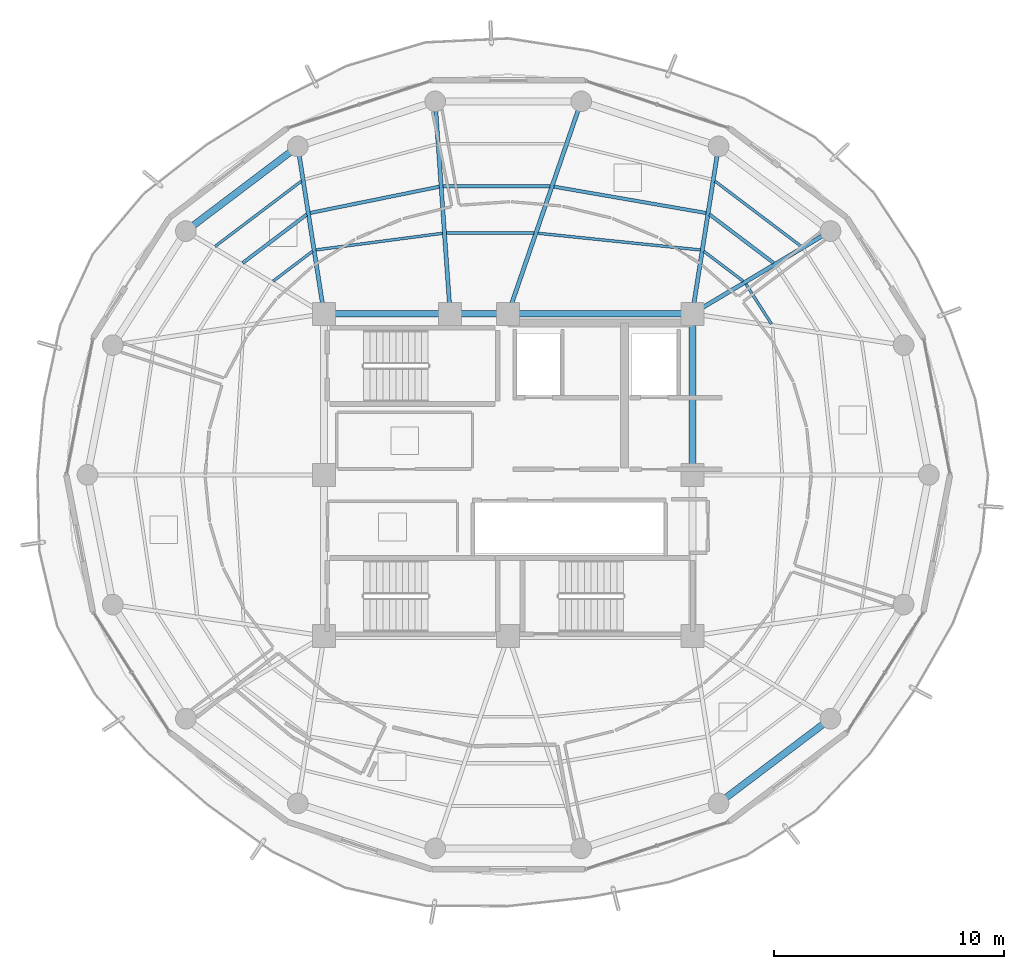
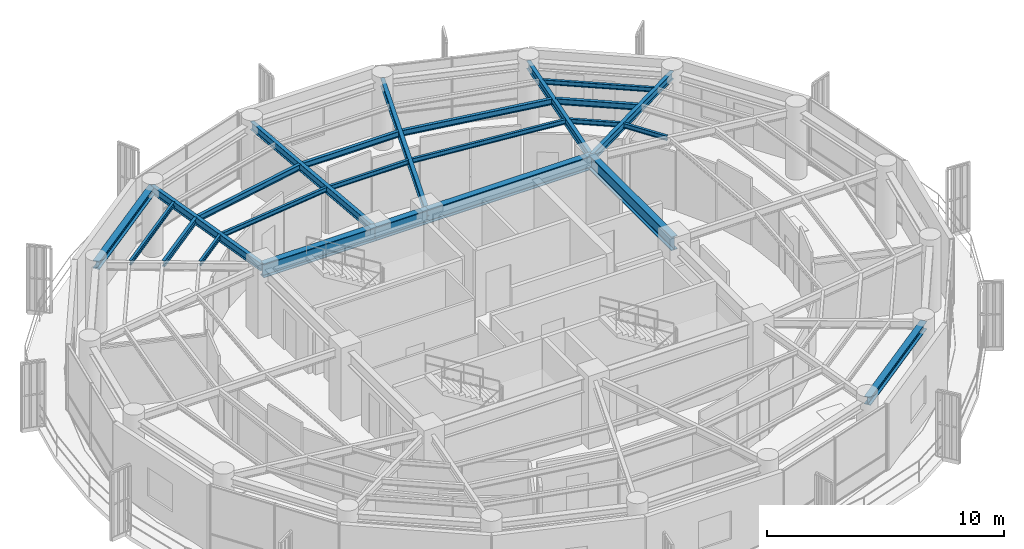
# One storey, part 9 of 23: 24 beams.
"""IFC4 building model written with IfcOpenShell, lengths in metres."""

import ifcopenshell
import ifcopenshell.guid

model = None  # the IFC model being written
_history = None  # IfcOwnerHistory: only IFC2X3 demands one
_inside = {}  # id of a spatial element -> (the spatial element, [elements in it])
_under = {}  # id of a project, library or spatial element -> (it, [spatial elements below it])
_declared = {}  # id of a project -> (the project, [libraries it declares])
_typed = {}  # id of a type object -> (the type object, [elements of that type])
_made_of = {}  # id of a material, layer set ... -> (it, [elements and type objects made of it])


def new_model(schema):
    """Start an empty IFC model of exactly this schema.

    Asked for "IFC4X3", IfcOpenShell would pick the latest addendum, in which some entities
    have other attributes; the version numbers below select the first issue.
    IFC2X3 requires an IfcOwnerHistory on every rooted entity: one is made here for all.
    """
    global model, _history
    if schema == "IFC4X3":
        model = ifcopenshell.file(schema_version=(4, 3, 0, 0))
    else:
        model = ifcopenshell.file(schema=schema)
    _inside.clear()
    _under.clear()
    _declared.clear()
    _typed.clear()
    _made_of.clear()
    _history = None
    if model.schema == "IFC2X3":
        org = make("IfcOrganization", Name="unknown")
        user = make(
            "IfcPersonAndOrganization",
            ThePerson=make("IfcPerson", FamilyName="unknown"),
            TheOrganization=org,
        )
        app = make(
            "IfcApplication",
            ApplicationDeveloper=org,
            Version="unknown",
            ApplicationFullName="unknown",
            ApplicationIdentifier="unknown",
        )
        _history = make(
            "IfcOwnerHistory",
            OwningUser=user,
            OwningApplication=app,
            ChangeAction="ADDED",
            CreationDate=0,
        )
    return model


def make(cls, **values):
    """One entity of the class cls with the attributes given. An attribute that is None is left unset."""
    return model.create_entity(
        cls, **{name: value for name, value in values.items() if value is not None}
    )


def rooted(cls, **values):
    """An entity with a GlobalId (a new one), such as an element, a storey or a relation."""
    return make(cls, GlobalId=ifcopenshell.guid.new(), OwnerHistory=_history, **values)


def si_unit(unit_type, name, prefix=None):
    """IfcSIUnit, for example si_unit("LENGTHUNIT", "METRE", prefix="MILLI")."""
    return make("IfcSIUnit", UnitType=unit_type, Prefix=prefix, Name=name)


def assignment(units):
    """IfcUnitAssignment: the units of a project."""
    return None if units is None else make("IfcUnitAssignment", Units=units)


def point(xyz):
    """IfcCartesianPoint."""
    return None if xyz is None else make("IfcCartesianPoint", Coordinates=xyz)


def direction(xyz):
    """IfcDirection."""
    return None if xyz is None else make("IfcDirection", DirectionRatios=xyz)


def frame(location, z_axis=None, x_axis=None):
    """IfcAxis2Placement3D, a coordinate frame: its origin and axes. An axis left out is left unset."""
    return make(
        "IfcAxis2Placement3D",
        Location=point(location),
        Axis=direction(z_axis),
        RefDirection=direction(x_axis),
    )


def frame_2d(location, x_axis=None):
    """IfcAxis2Placement2D, a coordinate frame in the plane: its origin and x axis."""
    return make(
        "IfcAxis2Placement2D", Location=point(location), RefDirection=direction(x_axis)
    )


def origin():
    """The frame at (0, 0, 0) with its axes left unset."""
    return frame((0.0, 0.0, 0.0))


def origin_2d():
    """The frame at (0, 0) in the plane with its x axis left unset."""
    return frame_2d((0.0, 0.0))


def place(relative_to, where):
    """IfcLocalPlacement: puts the frame where relative to a parent placement (None: the world)."""
    return make(
        "IfcLocalPlacement", PlacementRelTo=relative_to, RelativePlacement=where
    )


def context(
    kind, dimensions, precision=None, world=None, true_north=None, identifier=None
):
    """IfcGeometricRepresentationContext, for example the 3D "Model" context."""
    return make(
        "IfcGeometricRepresentationContext",
        ContextIdentifier=identifier,
        ContextType=kind,
        CoordinateSpaceDimension=dimensions,
        Precision=precision,
        WorldCoordinateSystem=world,
        TrueNorth=true_north,
    )


def subcontext(parent, identifier, kind, view, scale=None):
    """IfcGeometricRepresentationSubContext, for example "Body" below "Model"."""
    return make(
        "IfcGeometricRepresentationSubContext",
        ContextIdentifier=identifier,
        ContextType=kind,
        ParentContext=parent,
        TargetScale=scale,
        TargetView=view,
    )


def project(units=None, contexts=None):
    """IfcProject with its units and contexts."""
    return rooted(
        "IfcProject",
        Name="project",
        RepresentationContexts=contexts,
        UnitsInContext=assignment(units),
    )


def spatial(cls, under=None, at=None, **own):
    """A site, building, storey or space (cls), placed at a placement, below another one or the project."""
    s = rooted(cls, ObjectPlacement=at, **own)
    if under is not None:
        _under.setdefault(under.id(), (under, []))[1].append(s)
    return s


def profile(cls, at=None, kind="AREA", **sizes):
    """A parametric profile (cls). Its sizes go by their IFC names, for example OverallWidth=200.0."""
    return make(cls, ProfileType=kind, Position=at, **sizes)


def i_section(**sizes):
    """IfcIShapeProfileDef."""
    return profile("IfcIShapeProfileDef", **sizes)


def extrude(swept, where, along, depth):
    """IfcExtrudedAreaSolid: the profile swept, set in the frame where, extruded along a direction by depth."""
    return make(
        "IfcExtrudedAreaSolid",
        SweptArea=swept,
        Position=where,
        ExtrudedDirection=direction(along),
        Depth=depth,
    )


def shape(context_of_items, identifier, shape_type, items):
    """IfcShapeRepresentation: the items that make up one representation, for example the "Body"."""
    return make(
        "IfcShapeRepresentation",
        ContextOfItems=context_of_items,
        RepresentationIdentifier=identifier,
        RepresentationType=shape_type,
        Items=items,
    )


def material(Name=None, Category=None):
    """IfcMaterial."""
    return make("IfcMaterial", Name=Name, Category=Category)


def material_profile(
    of_material, cross_section, Name=None, Category=None, Priority=None
):
    """IfcMaterialProfile: a cross section and its material."""
    return make(
        "IfcMaterialProfile",
        Name=Name,
        Material=of_material,
        Profile=cross_section,
        Priority=Priority,
        Category=Category,
    )


def profile_set(profiles, Name=None, composite=None):
    """IfcMaterialProfileSet."""
    return make(
        "IfcMaterialProfileSet",
        Name=Name,
        MaterialProfiles=profiles,
        CompositeProfile=composite,
    )


def made_of(thing, what):
    """Note that an element or type object is made of a material, layer set ...; save() writes the relation."""
    if what is not None:
        _made_of.setdefault(what.id(), (what, []))[1].append(thing)
    return thing


def type_object(cls, material=None, **own):
    """A type object (cls), such as IfcWallType, which elements share."""
    return made_of(rooted(cls, **own), material)


def element(
    cls,
    number,
    at=None,
    inside=None,
    cuts=None,
    type_object=None,
    material=None,
    context=None,
    identifier="Body",
    shape_type=None,
    held_by="IfcProductDefinitionShape",
    body=None,
    shapes=None,
    **own,
):
    """One element of the class cls, such as IfcWall. Its Tag is "e" and its number.

    at: its placement. inside: the storey or other place that contains it. cuts: it is an
    opening in that element (IfcRelVoidsElement). A single representation is given by context,
    identifier, shape_type and body (its items); several are given by shapes. held_by: the class
    of the entity that holds the representations. save() writes the other relations.
    """
    e = rooted(cls, Tag="e%d" % number, ObjectPlacement=at, **own)
    if body is not None:
        shapes = [shape(context, identifier, shape_type, body)]
    if shapes is not None:
        e.Representation = make(held_by, Representations=shapes)
    if inside is not None:
        _inside.setdefault(inside.id(), (inside, []))[1].append(e)
    if cuts is not None:
        rooted(
            "IfcRelVoidsElement", RelatingBuildingElement=cuts, RelatedOpeningElement=e
        )
    if type_object is not None:
        _typed.setdefault(type_object.id(), (type_object, []))[1].append(e)
    return made_of(e, material)


def aggregate(whole, parts):
    """IfcRelAggregates: a whole, such as a stair, and the parts it consists of."""
    return rooted("IfcRelAggregates", RelatingObject=whole, RelatedObjects=parts)


def save(model, path):
    """Write the relations noted so far, then the file.

    IfcRelAggregates (storeys below a building ...), IfcRelContainedInSpatialStructure (elements
    in a storey), IfcRelDefinesByType, IfcRelAssociatesMaterial and IfcRelDeclares: one each for
    every whole, place, type object, material and project.
    """
    for whole, parts in _under.values():
        aggregate(whole, parts)
    for where, things in _inside.values():
        rooted(
            "IfcRelContainedInSpatialStructure",
            RelatedElements=things,
            RelatingStructure=where,
        )
    for kind, things in _typed.values():
        rooted("IfcRelDefinesByType", RelatedObjects=things, RelatingType=kind)
    for what, things in _made_of.values():
        rooted("IfcRelAssociatesMaterial", RelatedObjects=things, RelatingMaterial=what)
    for by, libraries in _declared.values():
        rooted("IfcRelDeclares", RelatingContext=by, RelatedDefinitions=libraries)
    model.write(path)


model = new_model("IFC4")

# Units and contexts
model_context = context("Model", 3, precision=1e-05, world=origin(), true_north=direction((0.0, 1.0)))
body_context = subcontext(model_context, "Body", "Model", "MODEL_VIEW")
ifc_project = project(units=[si_unit("LENGTHUNIT", "METRE"), si_unit("AREAUNIT", "SQUARE_METRE"), si_unit("VOLUMEUNIT", "CUBIC_METRE"), si_unit("PLANEANGLEUNIT", "RADIAN"), si_unit("MASSUNIT", "GRAM", prefix="KILO")], contexts=[model_context])

# Site, building, storey
site_placement = place(None, origin())
site = spatial("IfcSite", under=ifc_project, at=site_placement, CompositionType="ELEMENT")
building_placement = place(site_placement, origin())
building = spatial("IfcBuilding", under=site, at=building_placement, Name="Kelanora Arch Commons", CompositionType="ELEMENT")
storey_placement = place(building_placement, frame((0.0, 0.0, 289.949951171875)))
storey = spatial("IfcBuildingStorey", under=building, at=storey_placement, Name="L74", CompositionType="ELEMENT", Elevation=289.949951171875)

# Beams
ifc_material = material(Name="Steel S355", Category="steel")
ifc_material_profile_1 = material_profile(ifc_material, i_section(OverallWidth=0.300048828125, OverallDepth=0.699951171875, WebThickness=0.01708984375, FlangeThickness=0.031982421875, FilletRadius=0.027099609375, at=origin_2d()), Name="HEB700")
ifc_profile_set_1 = profile_set([ifc_material_profile_1], Name="Steel S355")
beam_type_1 = type_object("IfcBeamType", Name="BM-CORE-HDR", PredefinedType="BEAM", material=ifc_profile_set_1)
beam_1_placement = place(storey_placement, frame((82.0, 58.0, 3.080078125), z_axis=(0.0, 1.0, 0.0), x_axis=(-1.0, 0.0, 0.0)))
element("IfcBeam", 1, at=beam_1_placement, inside=storey, type_object=beam_type_1, Name="Core Header Beam 04 L74", PredefinedType="BEAM", context=body_context, shape_type="SweptSolid", body=[
    extrude(i_section(OverallWidth=0.300048828125, OverallDepth=0.699951171875, WebThickness=0.01708984375, FlangeThickness=0.031982421875, FilletRadius=0.027099609375, at=origin_2d()), origin(), (0.0, 0.0, 1.0), 7.0),
])
beam_2_placement = place(storey_placement, frame((82.0, 65.0, 3.080078125), z_axis=(-1.0, 0.0, 0.0), x_axis=(0.0, -1.0, 0.0)))
element("IfcBeam", 2, at=beam_2_placement, inside=storey, type_object=beam_type_1, Name="Core Header Beam 05 L74", PredefinedType="BEAM", context=body_context, shape_type="SweptSolid", body=[
    extrude(i_section(OverallWidth=0.300048828125, OverallDepth=0.699951171875, WebThickness=0.01708984375, FlangeThickness=0.031982421875, FilletRadius=0.027099609375, at=origin_2d()), origin(), (0.0, 0.0, 1.0), 8.0),
])
beam_3_placement = place(storey_placement, frame((74.0, 65.0, 3.080078125), z_axis=(-1.0, 0.0, 0.0), x_axis=(0.0, -1.0, 0.0)))
element("IfcBeam", 3, at=beam_3_placement, inside=storey, type_object=beam_type_1, Name="Core Header Beam 06 L74", PredefinedType="BEAM", context=body_context, shape_type="SweptSolid", body=[
    extrude(i_section(OverallWidth=0.300048828125, OverallDepth=0.699951171875, WebThickness=0.01708984375, FlangeThickness=0.031982421875, FilletRadius=0.027099609375, at=origin_2d()), origin(), (0.0, 0.0, 1.0), 2.52001953125),
])
beam_4_placement = place(storey_placement, frame((71.47998046875, 65.0, 3.080078125), z_axis=(-1.0, 0.0, 0.0), x_axis=(0.0, -1.0, 0.0)))
element("IfcBeam", 4, at=beam_4_placement, inside=storey, type_object=beam_type_1, Name="Core Header Beam 07 L74", PredefinedType="BEAM", context=body_context, shape_type="SweptSolid", body=[
    extrude(i_section(OverallWidth=0.300048828125, OverallDepth=0.699951171875, WebThickness=0.01708984375, FlangeThickness=0.031982421875, FilletRadius=0.027099609375, at=origin_2d()), origin(), (0.0, 0.0, 1.0), 5.47998046875),
])
ifc_material_profile_2 = material_profile(ifc_material, i_section(OverallWidth=0.14990234375, OverallDepth=0.300048828125, WebThickness=0.007080078125, FlangeThickness=0.0107421875, FilletRadius=0.014892578125, at=origin_2d()), Name="IPE300")
ifc_profile_set_2 = profile_set([ifc_material_profile_2], Name="Steel S355")
beam_type_2 = type_object("IfcBeamType", Name="BM-JST-01", PredefinedType="JOIST", material=ifc_profile_set_2)
beam_5_placement = place(storey_placement, frame((85.5341796875, 67.20703125, 3.280029296875), z_axis=(-0.797499198801, 0.603320004568, 0.0), x_axis=(-0.603320004568, -0.797499198801, 0.0)))
element("IfcBeam", 5, at=beam_5_placement, inside=storey, type_object=beam_type_2, Name="Secondary Chord Joist BJB-04 L74", PredefinedType="JOIST", context=body_context, shape_type="SweptSolid", body=[
    extrude(i_section(OverallWidth=0.14990234375, OverallDepth=0.300048828125, WebThickness=0.007080078125, FlangeThickness=0.0107421875, FilletRadius=0.014892578125, at=origin_2d()), origin(), (0.0, 0.0, 1.0), 3.489013671875),
])
beam_6_placement = place(storey_placement, frame((82.60009765625, 69.377685546875, 3.280029296875), z_axis=(-0.985321568263, 0.170708544357, 0.0), x_axis=(-0.170708544357, -0.985321568263, 0.0)))
element("IfcBeam", 6, at=beam_6_placement, inside=storey, type_object=beam_type_2, Name="Secondary Chord Joist BJB-06 L74", PredefinedType="JOIST", context=body_context, shape_type="SweptSolid", body=[
    extrude(i_section(OverallWidth=0.14990234375, OverallDepth=0.300048828125, WebThickness=0.007080078125, FlangeThickness=0.0107421875, FilletRadius=0.014892578125, at=origin_2d()), origin(), (0.0, 0.0, 1.0), 6.710205078125),
])
beam_7_placement = place(storey_placement, frame((75.819580078125, 70.537841796875, 3.280029296875), z_axis=(-1.0, 0.0, 0.0), x_axis=(0.0, -1.0, 0.0)))
element("IfcBeam", 7, at=beam_7_placement, inside=storey, type_object=beam_type_2, Name="Secondary Chord Joist BJB-08 L74", PredefinedType="JOIST", context=body_context, shape_type="SweptSolid", body=[
    extrude(i_section(OverallWidth=0.14990234375, OverallDepth=0.300048828125, WebThickness=0.007080078125, FlangeThickness=0.0107421875, FilletRadius=0.014892578125, at=origin_2d()), origin(), (0.0, 0.0, 1.0), 4.647216796875),
])
beam_8_placement = place(storey_placement, frame((71.004150390625, 70.520751953125, 3.280029296875), z_axis=(-0.979913482255, -0.199423086165, 0.0), x_axis=(0.199423086165, -0.979913482255, 0.0)))
element("IfcBeam", 8, at=beam_8_placement, inside=storey, type_object=beam_type_2, Name="Secondary Chord Joist BJB-10 L74", PredefinedType="JOIST", context=body_context, shape_type="SweptSolid", body=[
    extrude(i_section(OverallWidth=0.14990234375, OverallDepth=0.300048828125, WebThickness=0.007080078125, FlangeThickness=0.0107421875, FilletRadius=0.014892578125, at=origin_2d()), origin(), (0.0, 0.0, 1.0), 5.7197265625),
])
beam_9_placement = place(storey_placement, frame((65.248291015625, 69.31201171875, 3.280029296875), z_axis=(-0.797499198801, -0.603320004568, 0.0), x_axis=(0.603320004568, -0.797499198801, 0.0)))
element("IfcBeam", 9, at=beam_9_placement, inside=storey, type_object=beam_type_2, Name="Secondary Chord Joist BJB-12 L74", PredefinedType="JOIST", context=body_context, shape_type="SweptSolid", body=[
    extrude(i_section(OverallWidth=0.14990234375, OverallDepth=0.300048828125, WebThickness=0.007080078125, FlangeThickness=0.0107421875, FilletRadius=0.014892578125, at=origin_2d()), origin(), (0.0, 0.0, 1.0), 3.489013671875),
])
ifc_material_profile_3 = material_profile(ifc_material, i_section(OverallWidth=0.1201171875, OverallDepth=0.239990234375, WebThickness=0.006103515625, FlangeThickness=0.009765625, FilletRadius=0.014892578125, at=origin_2d()), Name="IPE240")
ifc_profile_set_3 = profile_set([ifc_material_profile_3], Name="Steel S355")
beam_type_3 = type_object("IfcBeamType", Name="BM-JST-02", PredefinedType="JOIST", material=ifc_profile_set_3)
beam_10_placement = place(storey_placement, frame((85.441650390625, 64.553466796875, 3.31005859375), z_axis=(-0.539311810315, 0.842106152011, 0.0), x_axis=(-0.842106152011, -0.539311810315, 0.0)))
element("IfcBeam", 10, at=beam_10_placement, inside=storey, type_object=beam_type_3, Name="Secondary Chord Joist BJA-02 L74", PredefinedType="JOIST", context=body_context, shape_type="SweptSolid", body=[
    extrude(i_section(OverallWidth=0.1201171875, OverallDepth=0.239990234375, WebThickness=0.006103515625, FlangeThickness=0.009765625, FilletRadius=0.014892578125, at=origin_2d()), origin(), (0.0, 0.0, 1.0), 2.06640625),
])
beam_11_placement = place(storey_placement, frame((84.21337890625, 66.416748046875, 3.31005859375), z_axis=(-0.797509883882, 0.603305880222, 0.0), x_axis=(-0.603305880222, -0.797509883882, 0.0)))
element("IfcBeam", 11, at=beam_11_placement, inside=storey, type_object=beam_type_3, Name="Secondary Chord Joist BJA-04 L74", PredefinedType="JOIST", context=body_context, shape_type="SweptSolid", body=[
    extrude(i_section(OverallWidth=0.1201171875, OverallDepth=0.239990234375, WebThickness=0.006103515625, FlangeThickness=0.009765625, FilletRadius=0.014892578125, at=origin_2d()), origin(), (0.0, 0.0, 1.0), 2.147216796875),
])
beam_12_placement = place(storey_placement, frame((86.73486328125, 67.92578125, 3.31005859375), z_axis=(-0.79752302984, 0.60328850219, 0.0), x_axis=(-0.60328850219, -0.79752302984, 0.0)))
element("IfcBeam", 12, at=beam_12_placement, inside=storey, type_object=beam_type_3, Name="Secondary Chord Joist BJC-04 L74", PredefinedType="JOIST", context=body_context, shape_type="SweptSolid", body=[
    extrude(i_section(OverallWidth=0.1201171875, OverallDepth=0.239990234375, WebThickness=0.006103515625, FlangeThickness=0.009765625, FilletRadius=0.014892578125, at=origin_2d()), origin(), (0.0, 0.0, 1.0), 4.70849609375),
])
beam_13_placement = place(storey_placement, frame((82.3486328125, 67.772216796875, 3.31005859375), z_axis=(-0.994746545688, 0.102368500239, 0.0), x_axis=(-0.102368500239, -0.994746545688, 0.0)))
element("IfcBeam", 13, at=beam_13_placement, inside=storey, type_object=beam_type_3, Name="Secondary Chord Joist BJA-06 L74", PredefinedType="JOIST", context=body_context, shape_type="SweptSolid", body=[
    extrude(i_section(OverallWidth=0.1201171875, OverallDepth=0.239990234375, WebThickness=0.006103515625, FlangeThickness=0.009765625, FilletRadius=0.014892578125, at=origin_2d()), origin(), (0.0, 0.0, 1.0), 7.09521484375),
])
beam_14_placement = place(storey_placement, frame((75.12109375, 68.507080078125, 3.31005859375), z_axis=(-1.0, 0.0, 0.0), x_axis=(0.0, -1.0, 0.0)))
element("IfcBeam", 14, at=beam_14_placement, inside=storey, type_object=beam_type_3, Name="Secondary Chord Joist BJA-08 L74", PredefinedType="JOIST", context=body_context, shape_type="SweptSolid", body=[
    extrude(i_section(OverallWidth=0.1201171875, OverallDepth=0.239990234375, WebThickness=0.006103515625, FlangeThickness=0.009765625, FilletRadius=0.014892578125, at=origin_2d()), origin(), (0.0, 0.0, 1.0), 3.8046875),
])
beam_15_placement = place(storey_placement, frame((71.147216796875, 68.49609375, 3.31005859375), z_axis=(-0.991489038745, -0.130190191832, 0.0), x_axis=(0.130190191832, -0.991489038745, 0.0)))
element("IfcBeam", 15, at=beam_15_placement, inside=storey, type_object=beam_type_3, Name="Secondary Chord Joist BJA-10 L74", PredefinedType="JOIST", context=body_context, shape_type="SweptSolid", body=[
    extrude(i_section(OverallWidth=0.1201171875, OverallDepth=0.239990234375, WebThickness=0.006103515625, FlangeThickness=0.009765625, FilletRadius=0.014892578125, at=origin_2d()), origin(), (0.0, 0.0, 1.0), 5.543212890625),
])
beam_16_placement = place(storey_placement, frame((65.4990234375, 67.712158203125, 3.31005859375), z_axis=(-0.797509883882, -0.603305880222, 0.0), x_axis=(0.603305880222, -0.797509883882, 0.0)))
element("IfcBeam", 16, at=beam_16_placement, inside=storey, type_object=beam_type_3, Name="Secondary Chord Joist BJA-12 L74", PredefinedType="JOIST", context=body_context, shape_type="SweptSolid", body=[
    extrude(i_section(OverallWidth=0.1201171875, OverallDepth=0.239990234375, WebThickness=0.006103515625, FlangeThickness=0.009765625, FilletRadius=0.014892578125, at=origin_2d()), origin(), (0.0, 0.0, 1.0), 2.147216796875),
])
beam_17_placement = place(storey_placement, frame((65.020263671875, 70.766357421875, 3.31005859375), z_axis=(-0.79752302984, -0.60328850219, 0.0), x_axis=(0.60328850219, -0.79752302984, 0.0)))
element("IfcBeam", 17, at=beam_17_placement, inside=storey, type_object=beam_type_3, Name="Secondary Chord Joist BJC-12 L74", PredefinedType="JOIST", context=body_context, shape_type="SweptSolid", body=[
    extrude(i_section(OverallWidth=0.1201171875, OverallDepth=0.239990234375, WebThickness=0.006103515625, FlangeThickness=0.009765625, FilletRadius=0.014892578125, at=origin_2d()), origin(), (0.0, 0.0, 1.0), 4.70849609375),
])
ifc_material_profile_4 = material_profile(ifc_material, i_section(OverallWidth=0.179931640625, OverallDepth=0.39990234375, WebThickness=0.008544921875, FlangeThickness=0.013427734375, FilletRadius=0.02099609375, at=origin_2d()), Name="IPE400")
ifc_profile_set_4 = profile_set([ifc_material_profile_4], Name="Steel S355")
beam_type_4 = type_object("IfcBeamType", Name="BM-RAD-Z5", PredefinedType="BEAM", material=ifc_profile_set_4)
beam_18_placement = place(storey_placement, frame((82.0, 65.0, 3.22998046875), z_axis=(0.858062005744, 0.513546097541, 0.0), x_axis=(-0.513546097541, 0.858062005744, 0.0)))
element("IfcBeam", 18, at=beam_18_placement, inside=storey, type_object=beam_type_4, Name="Radial Floor Girder BR-04 L74", PredefinedType="BEAM", context=body_context, shape_type="SweptSolid", body=[
    extrude(i_section(OverallWidth=0.179931640625, OverallDepth=0.39990234375, WebThickness=0.008544921875, FlangeThickness=0.013427734375, FilletRadius=0.02099609375, at=origin_2d()), origin(), (0.0, 0.0, 1.0), 6.99658203125),
])
beam_19_placement = place(storey_placement, frame((82.0, 65.0, 3.22998046875), z_axis=(0.154855424129, 0.987937142544, 0.0), x_axis=(-0.987937142544, 0.154855424129, 0.0)))
element("IfcBeam", 19, at=beam_19_placement, inside=storey, type_object=beam_type_4, Name="Radial Floor Girder BR-06 L74", PredefinedType="BEAM", context=body_context, shape_type="SweptSolid", body=[
    extrude(i_section(OverallWidth=0.179931640625, OverallDepth=0.39990234375, WebThickness=0.008544921875, FlangeThickness=0.013427734375, FilletRadius=0.02099609375, at=origin_2d()), origin(), (0.0, 0.0, 1.0), 7.361083984375),
])
beam_20_placement = place(storey_placement, frame((74.0, 65.0, 3.22998046875), z_axis=(0.325233562807, 0.945633718532, 0.0), x_axis=(-0.945633718532, 0.325233562807, 0.0)))
element("IfcBeam", 20, at=beam_20_placement, inside=storey, type_object=beam_type_4, Name="Radial Floor Girder BR-08 L74", PredefinedType="BEAM", context=body_context, shape_type="SweptSolid", body=[
    extrude(i_section(OverallWidth=0.179931640625, OverallDepth=0.39990234375, WebThickness=0.008544921875, FlangeThickness=0.013427734375, FilletRadius=0.02099609375, at=origin_2d()), origin(), (0.0, 0.0, 1.0), 9.760009765625),
])
beam_21_placement = place(storey_placement, frame((71.47998046875, 65.0, 3.22998046875), z_axis=(-0.070714497892, 0.997496596379, 0.0), x_axis=(-0.997496596379, -0.070714497892, 0.0)))
element("IfcBeam", 21, at=beam_21_placement, inside=storey, type_object=beam_type_4, Name="Radial Floor Girder BR-10 L74", PredefinedType="BEAM", context=body_context, shape_type="SweptSolid", body=[
    extrude(i_section(OverallWidth=0.179931640625, OverallDepth=0.39990234375, WebThickness=0.008544921875, FlangeThickness=0.013427734375, FilletRadius=0.02099609375, at=origin_2d()), origin(), (0.0, 0.0, 1.0), 9.252685546875),
])
beam_22_placement = place(storey_placement, frame((66.0, 65.0, 3.22998046875), z_axis=(-0.154855424129, 0.987937142544, 0.0), x_axis=(-0.987937142544, -0.154855424129, 0.0)))
element("IfcBeam", 22, at=beam_22_placement, inside=storey, type_object=beam_type_4, Name="Radial Floor Girder BR-12 L74", PredefinedType="BEAM", context=body_context, shape_type="SweptSolid", body=[
    extrude(i_section(OverallWidth=0.179931640625, OverallDepth=0.39990234375, WebThickness=0.008544921875, FlangeThickness=0.013427734375, FilletRadius=0.02099609375, at=origin_2d()), origin(), (0.0, 0.0, 1.0), 7.361083984375),
])
ifc_material_profile_5 = material_profile(ifc_material, i_section(OverallWidth=0.300048828125, OverallDepth=0.39990234375, WebThickness=0.013427734375, FlangeThickness=0.02392578125, FilletRadius=0.027099609375, at=origin_2d()), Name="HEB400")
ifc_profile_set_5 = profile_set([ifc_material_profile_5], Name="Steel S355")
beam_type_5 = type_object("IfcBeamType", Name="BM-SPN-Z4", PredefinedType="SPANDREL", material=ifc_profile_set_5)
for number, where, z_axis, x_axis, name in (
    (23, (64.860107421875, 72.272216796875, 3.22998046875), (-0.797509460967, -0.603306439273, 0.0), (0.603306439273, -0.797509460967, 0.0), "Perimeter Spandrel Beam BS-12 L74"),
    (24, (83.139892578125, 43.727783203125, 3.22998046875), (0.797509460967, 0.603306439273, 0.0), (-0.603306439273, 0.797509460967, 0.0), "Perimeter Spandrel Beam BS-30 L74"),
):
    element("IfcBeam", number, at=place(storey_placement, frame(where, z_axis=z_axis, x_axis=x_axis)), inside=storey, type_object=beam_type_5, Name=name, PredefinedType="SPANDREL", context=body_context, shape_type="SweptSolid", body=[
        extrude(i_section(OverallWidth=0.300048828125, OverallDepth=0.39990234375, WebThickness=0.013427734375, FlangeThickness=0.02392578125, FilletRadius=0.027099609375, at=origin_2d()), origin(), (0.0, 0.0, 1.0), 6.098388671875),
    ])

save(model, "model.ifc")
